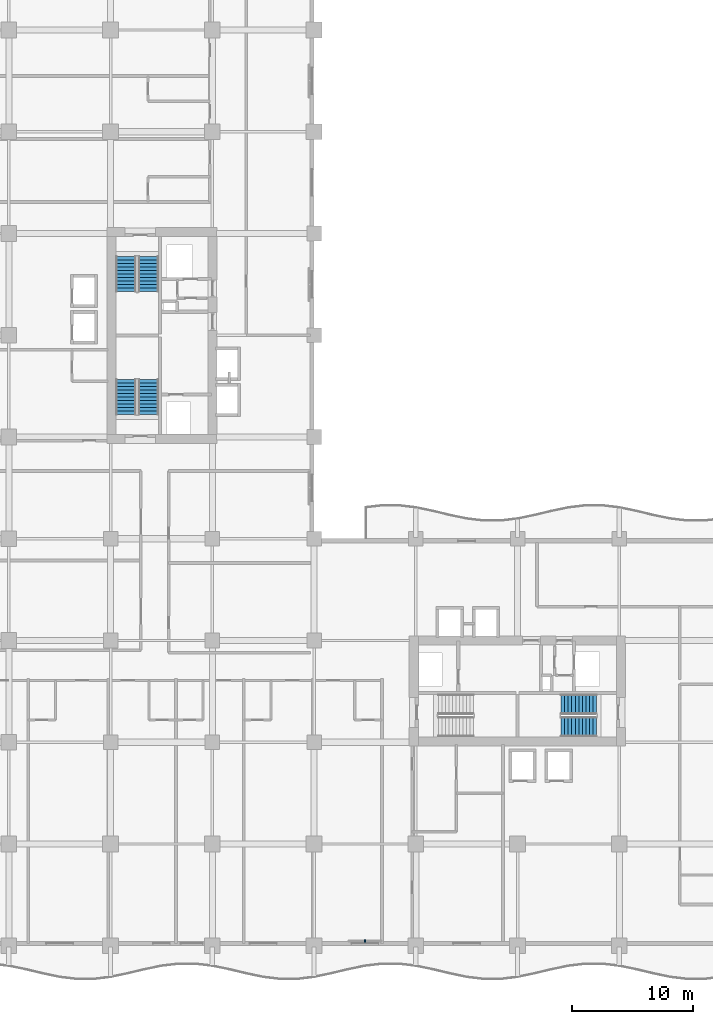
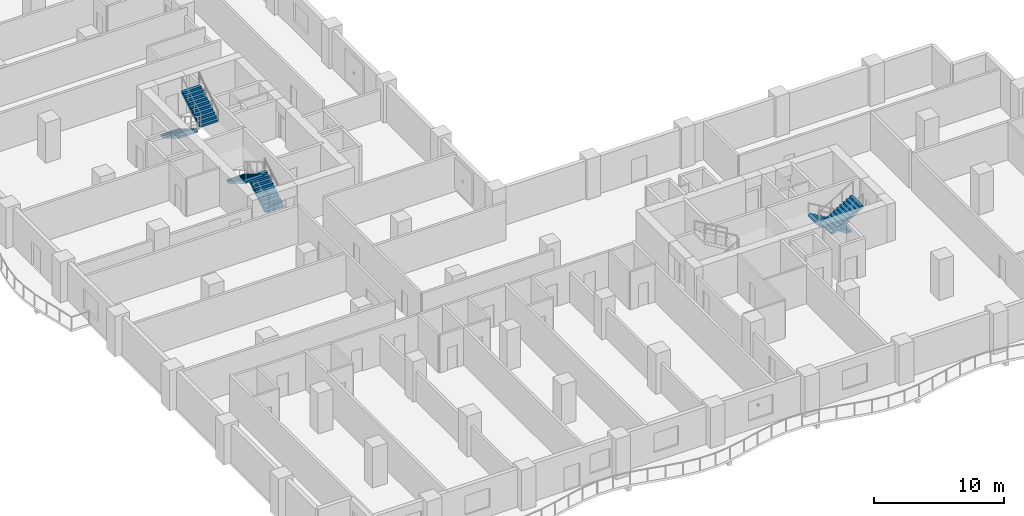
# One storey, part 12 of 17: 6 stair flights, 1 discrete accessory, 3 elements without a shape of their own.
"""IFC4 building model written with IfcOpenShell, lengths in metres."""

from ifc_helpers import new_model, si_unit, direction, frame, origin, origin_2d, place, context, subcontext, project, spatial, polyline, rectangle, outline, extrude, material, type_object, element, aggregate, save


model = new_model("IFC4")

# Units and contexts
model_context = context("Model", 3, precision=1e-05, world=origin(), true_north=direction((0.0, 1.0)))
body_context = subcontext(model_context, "Body", "Model", "MODEL_VIEW")
ifc_project = project(units=[si_unit("LENGTHUNIT", "METRE"), si_unit("AREAUNIT", "SQUARE_METRE"), si_unit("VOLUMEUNIT", "CUBIC_METRE"), si_unit("PLANEANGLEUNIT", "RADIAN"), si_unit("MASSUNIT", "GRAM", prefix="KILO")], contexts=[model_context])

# Site, building, storey
site_placement = place(None, origin())
site = spatial("IfcSite", under=ifc_project, at=site_placement, CompositionType="ELEMENT")
building_placement = place(site_placement, origin())
building = spatial("IfcBuilding", under=site, at=building_placement, Name="Koriwani Terraces Tower", CompositionType="ELEMENT")
storey_placement = place(building_placement, frame((0.0, 0.0, 130.39990234375)))
storey = spatial("IfcBuildingStorey", under=building, at=storey_placement, Name="L31", CompositionType="ELEMENT", Elevation=130.39990234375)

# Stair, stair flights
ifc_material_1 = material(Name="Concrete C40/50", Category="concrete")
stair_type = type_object("IfcStairType", Name="STAIR_CORE_DOGLEG_1650", PredefinedType="TWO_STRAIGHT_RUN_STAIR", material=ifc_material_1)
stair_1_placement = place(storey_placement, origin())
stair_1 = element("IfcStair", 1, at=stair_1_placement, inside=storey, type_object=stair_type, Name="L31 West Core Exit Stair 1", PredefinedType="HALF_TURN_STAIR")
stair_flight_type = type_object("IfcStairFlightType", Name="STAIR_FLIGHT_RC_1650", PredefinedType="STRAIGHT", material=ifc_material_1)
stair_flight_1_placement = place(storey_placement, frame((19.925048828125, 43.85009765625, 0.0), z_axis=(0.0, 0.0, 1.0), x_axis=(0.0, 1.0, 0.0)))
stair_flight_1 = element("IfcStairFlight", 2, at=stair_flight_1_placement, type_object=stair_flight_type, Name="ST-W1 flight 1", NumberOfRisers=11, NumberOfTreads=10, PredefinedType="STRAIGHT", RiserHeight=0.172727273, TreadLength=0.29, context=body_context, shape_type="SweptSolid", body=[
    extrude(outline(polyline([(0.0, 0.0), (0.0, 0.172607421875), (0.2900390625, 0.172607421875), (0.2900390625, 0.345458984375), (0.580078125, 0.345458984375), (0.580078125, 0.51806640625), (0.8701171875, 0.51806640625), (0.8701171875, 0.69091796875), (1.159912109375, 0.69091796875), (1.159912109375, 0.863525390625), (1.449951171875, 0.863525390625), (1.449951171875, 1.036376953125), (1.739990234375, 1.036376953125), (1.739990234375, 1.208984375), (2.030029296875, 1.208984375), (2.030029296875, 1.3818359375), (2.320068359375, 1.3818359375), (2.320068359375, 1.554443359375), (2.610107421875, 1.554443359375), (2.610107421875, 1.727294921875), (2.89990234375, 1.727294921875), (2.89990234375, 1.89990234375), (2.89990234375, 1.517822265625), (0.3515625, 0.0), (0.0, 0.0)])), frame((0.0, 0.824951171875, 0.0), z_axis=(0.0, -1.0, 0.0), x_axis=(1.0, 0.0, 0.0)), (0.0, 0.0, 1.0), 1.64990234375),
])
stair_flight_2_placement = place(storey_placement, frame((18.074951171875, 46.75, 1.900146484375), z_axis=(0.0, 0.0, 1.0), x_axis=(0.0, -1.0, 0.0)))
stair_flight_2 = element("IfcStairFlight", 3, at=stair_flight_2_placement, type_object=stair_flight_type, Name="ST-W1 flight 2", NumberOfRisers=11, NumberOfTreads=10, PredefinedType="STRAIGHT", RiserHeight=0.172727273, TreadLength=0.29, context=body_context, shape_type="SweptSolid", body=[
    extrude(outline(polyline([(0.0, 0.0), (0.0, 0.172607421875), (0.2900390625, 0.172607421875), (0.2900390625, 0.345458984375), (0.580078125, 0.345458984375), (0.580078125, 0.51806640625), (0.8701171875, 0.51806640625), (0.8701171875, 0.69091796875), (1.159912109375, 0.69091796875), (1.159912109375, 0.863525390625), (1.449951171875, 0.863525390625), (1.449951171875, 1.036376953125), (1.739990234375, 1.036376953125), (1.739990234375, 1.208984375), (2.030029296875, 1.208984375), (2.030029296875, 1.3818359375), (2.320068359375, 1.3818359375), (2.320068359375, 1.554443359375), (2.610107421875, 1.554443359375), (2.610107421875, 1.727294921875), (2.89990234375, 1.727294921875), (2.89990234375, 1.89990234375), (2.89990234375, 1.517822265625), (0.3515625, 0.0), (0.0, 0.0)])), frame((0.0, 0.824951171875, 0.0), z_axis=(0.0, -1.0, 0.0), x_axis=(1.0, 0.0, 0.0)), (0.0, 0.0, 1.0), 1.64990234375),
])
aggregate(stair_1, [stair_flight_1, stair_flight_2])

stair_2_placement = place(storey_placement, origin())
stair_2 = element("IfcStair", 4, at=stair_2_placement, inside=storey, type_object=stair_type, Name="L31 West Core Exit Stair 2", PredefinedType="HALF_TURN_STAIR")
stair_flight_3_placement = place(storey_placement, frame((18.074951171875, 56.89990234375, 0.0), z_axis=(0.0, 0.0, 1.0), x_axis=(0.0, -1.0, 0.0)))
stair_flight_3 = element("IfcStairFlight", 5, at=stair_flight_3_placement, type_object=stair_flight_type, Name="ST-W2 flight 1", NumberOfRisers=11, NumberOfTreads=10, PredefinedType="STRAIGHT", RiserHeight=0.172727273, TreadLength=0.29, context=body_context, shape_type="SweptSolid", body=[
    extrude(outline(polyline([(0.0, 0.0), (0.0, 0.172607421875), (0.2900390625, 0.172607421875), (0.2900390625, 0.345458984375), (0.580078125, 0.345458984375), (0.580078125, 0.51806640625), (0.8701171875, 0.51806640625), (0.8701171875, 0.69091796875), (1.159912109375, 0.69091796875), (1.159912109375, 0.863525390625), (1.449951171875, 0.863525390625), (1.449951171875, 1.036376953125), (1.739990234375, 1.036376953125), (1.739990234375, 1.208984375), (2.030029296875, 1.208984375), (2.030029296875, 1.3818359375), (2.320068359375, 1.3818359375), (2.320068359375, 1.554443359375), (2.610107421875, 1.554443359375), (2.610107421875, 1.727294921875), (2.89990234375, 1.727294921875), (2.89990234375, 1.89990234375), (2.89990234375, 1.517822265625), (0.3515625, 0.0), (0.0, 0.0)])), frame((0.0, 0.824951171875, 0.0), z_axis=(0.0, -1.0, 0.0), x_axis=(1.0, 0.0, 0.0)), (0.0, 0.0, 1.0), 1.64990234375),
])
stair_flight_4_placement = place(storey_placement, frame((19.925048828125, 54.0, 1.900146484375), z_axis=(0.0, 0.0, 1.0), x_axis=(0.0, 1.0, 0.0)))
stair_flight_4 = element("IfcStairFlight", 6, at=stair_flight_4_placement, type_object=stair_flight_type, Name="ST-W2 flight 2", NumberOfRisers=11, NumberOfTreads=10, PredefinedType="STRAIGHT", RiserHeight=0.172727273, TreadLength=0.29, context=body_context, shape_type="SweptSolid", body=[
    extrude(outline(polyline([(0.0, 0.0), (0.0, 0.172607421875), (0.2900390625, 0.172607421875), (0.2900390625, 0.345458984375), (0.580078125, 0.345458984375), (0.580078125, 0.51806640625), (0.8701171875, 0.51806640625), (0.8701171875, 0.69091796875), (1.159912109375, 0.69091796875), (1.159912109375, 0.863525390625), (1.449951171875, 0.863525390625), (1.449951171875, 1.036376953125), (1.739990234375, 1.036376953125), (1.739990234375, 1.208984375), (2.030029296875, 1.208984375), (2.030029296875, 1.3818359375), (2.320068359375, 1.3818359375), (2.320068359375, 1.554443359375), (2.610107421875, 1.554443359375), (2.610107421875, 1.727294921875), (2.89990234375, 1.727294921875), (2.89990234375, 1.89990234375), (2.89990234375, 1.517822265625), (0.3515625, 0.0), (0.0, 0.0)])), frame((0.0, 0.824951171875, 0.0), z_axis=(0.0, -1.0, 0.0), x_axis=(1.0, 0.0, 0.0)), (0.0, 0.0, 1.0), 1.64990234375),
])
aggregate(stair_2, [stair_flight_3, stair_flight_4])

stair_3_placement = place(storey_placement, origin())
stair_3 = element("IfcStair", 7, at=stair_3_placement, inside=storey, type_object=stair_type, Name="L31 East Core Exit Stair 2", PredefinedType="HALF_TURN_STAIR")
stair_flight_5_placement = place(storey_placement, frame((56.89990234375, 19.925048828125, 0.0), z_axis=(0.0, 0.0, 1.0), x_axis=(-1.0, 0.0, 0.0)))
stair_flight_5 = element("IfcStairFlight", 8, at=stair_flight_5_placement, type_object=stair_flight_type, Name="ST-E2 flight 1", NumberOfRisers=11, NumberOfTreads=10, PredefinedType="STRAIGHT", RiserHeight=0.172727273, TreadLength=0.29, context=body_context, shape_type="SweptSolid", body=[
    extrude(outline(polyline([(0.0, 0.0), (0.0, 0.172607421875), (0.2900390625, 0.172607421875), (0.2900390625, 0.345458984375), (0.580078125, 0.345458984375), (0.580078125, 0.51806640625), (0.8701171875, 0.51806640625), (0.8701171875, 0.69091796875), (1.159912109375, 0.69091796875), (1.159912109375, 0.863525390625), (1.449951171875, 0.863525390625), (1.449951171875, 1.036376953125), (1.739990234375, 1.036376953125), (1.739990234375, 1.208984375), (2.030029296875, 1.208984375), (2.030029296875, 1.3818359375), (2.320068359375, 1.3818359375), (2.320068359375, 1.554443359375), (2.610107421875, 1.554443359375), (2.610107421875, 1.727294921875), (2.89990234375, 1.727294921875), (2.89990234375, 1.89990234375), (2.89990234375, 1.517822265625), (0.3515625, 0.0), (0.0, 0.0)])), frame((0.0, 0.824951171875, 0.0), z_axis=(0.0, -1.0, 0.0), x_axis=(1.0, 0.0, 0.0)), (0.0, 0.0, 1.0), 1.64990234375),
])
stair_flight_6_placement = place(storey_placement, frame((54.0, 18.074951171875, 1.900146484375), z_axis=(0.0, 0.0, 1.0), x_axis=(1.0, 0.0, 0.0)))
stair_flight_6 = element("IfcStairFlight", 9, at=stair_flight_6_placement, type_object=stair_flight_type, Name="ST-E2 flight 2", NumberOfRisers=11, NumberOfTreads=10, PredefinedType="STRAIGHT", RiserHeight=0.172727273, TreadLength=0.29, context=body_context, shape_type="SweptSolid", body=[
    extrude(outline(polyline([(0.0, 0.0), (0.0, 0.172607421875), (0.2900390625, 0.172607421875), (0.2900390625, 0.345458984375), (0.580078125, 0.345458984375), (0.580078125, 0.51806640625), (0.8701171875, 0.51806640625), (0.8701171875, 0.69091796875), (1.159912109375, 0.69091796875), (1.159912109375, 0.863525390625), (1.449951171875, 0.863525390625), (1.449951171875, 1.036376953125), (1.739990234375, 1.036376953125), (1.739990234375, 1.208984375), (2.030029296875, 1.208984375), (2.030029296875, 1.3818359375), (2.320068359375, 1.3818359375), (2.320068359375, 1.554443359375), (2.610107421875, 1.554443359375), (2.610107421875, 1.727294921875), (2.89990234375, 1.727294921875), (2.89990234375, 1.89990234375), (2.89990234375, 1.517822265625), (0.3515625, 0.0), (0.0, 0.0)])), frame((0.0, 0.824951171875, 0.0), z_axis=(0.0, -1.0, 0.0), x_axis=(1.0, 0.0, 0.0)), (0.0, 0.0, 1.0), 1.64990234375),
])
aggregate(stair_3, [stair_flight_5, stair_flight_6])

# Discrete accessory
ifc_material_2 = material(Name="Steel ASTM A572 Grade 50", Category="steel")
discrete_accessory_type = type_object("IfcDiscreteAccessoryType", Name="BAGUETTE_STANDOFF_BRACKET", PredefinedType="BRACKET", material=ifc_material_2)
discrete_accessory_placement = place(storey_placement, frame((37.800048828125, 0.389892578125, 1.68505859375), z_axis=(0.0, 0.0, 1.0), x_axis=(-1.0, 0.0, 0.0)))
element("IfcDiscreteAccessory", 10, at=discrete_accessory_placement, inside=storey, type_object=discrete_accessory_type, Name="L31 Terracotta Baguette Bracket (S-12)", PredefinedType="BRACKET", context=body_context, shape_type="SweptSolid", body=[
    extrude(rectangle(XDim=0.159912109375, YDim=0.199951171875, at=origin_2d()), origin(), (0.0, 0.0, 1.0), 0.179931640625),
])

save(model, "model.ifc")
